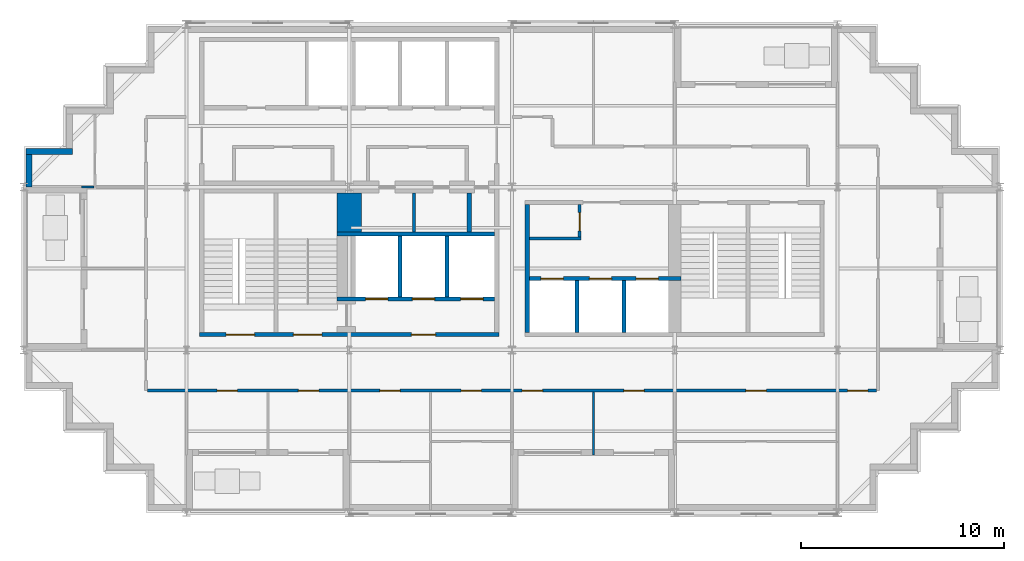
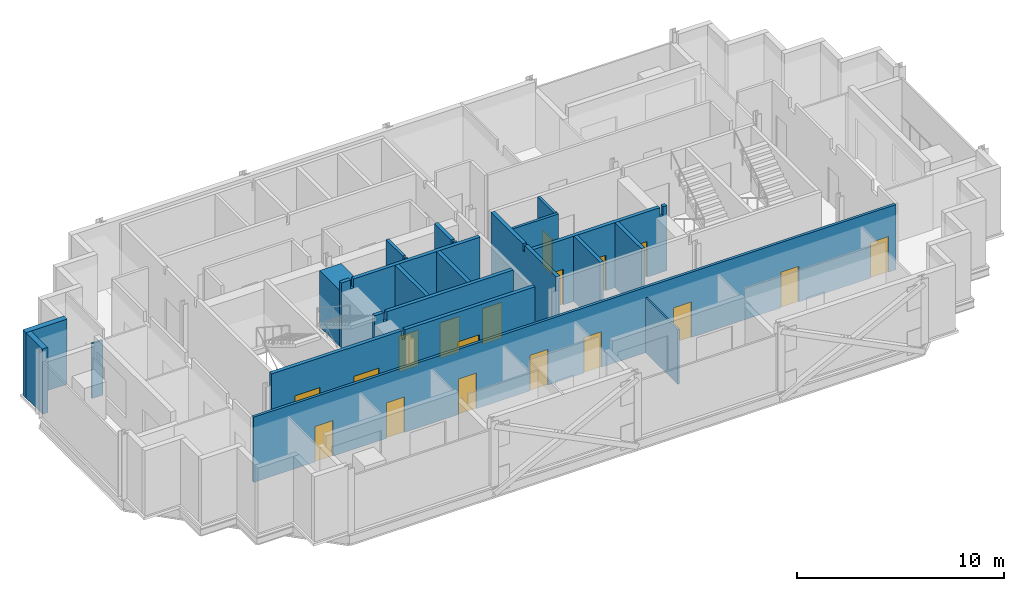
# One storey, part 5 of 10: 19 walls, 18 doors, 18 openings.
"""IFC4 building model written with IfcOpenShell, lengths in metres."""

from ifc_helpers import new_model, si_unit, direction, frame, frame_2d, origin, place, context, subcontext, project, spatial, polyline, rectangle, outline, extrude, material, layer, layer_set, type_object, element, fill, save


model = new_model("IFC4")

# Units and contexts
model_context = context("Model", 3, precision=1e-05, world=origin(), true_north=direction((0.0, 1.0)))
body_context = subcontext(model_context, "Body", "Model", "MODEL_VIEW")
ifc_project = project(units=[si_unit("LENGTHUNIT", "METRE"), si_unit("AREAUNIT", "SQUARE_METRE"), si_unit("VOLUMEUNIT", "CUBIC_METRE"), si_unit("PLANEANGLEUNIT", "RADIAN"), si_unit("MASSUNIT", "GRAM", prefix="KILO")], contexts=[model_context])

# Site, building, storey
site_placement = place(None, origin())
site = spatial("IfcSite", under=ifc_project, at=site_placement, CompositionType="ELEMENT")
building_placement = place(site_placement, origin())
building = spatial("IfcBuilding", under=site, at=building_placement, Name="Immortelle Media Tower", CompositionType="ELEMENT")
storey_placement = place(building_placement, frame((0.0, 0.0, 291.0)))
storey = spatial("IfcBuildingStorey", under=building, at=storey_placement, Name="L64", CompositionType="ELEMENT", Elevation=291.0)

# Walls
ifc_material_1 = material(Name="Fire-rated gypsum board", Category="gypsum")
ifc_layer_1 = layer(ifc_material_1, 0.02490234375)
ifc_material_2 = material(Name="Steel ASTM A653 SS Gr 50 stud frame with mineral wool", Category="steel")
ifc_layer_2 = layer(ifc_material_2, 0.10009765625)
ifc_layer_3 = layer(ifc_material_1, 0.02490234375)
ifc_layer_set_1 = layer_set([ifc_layer_1, ifc_layer_2, ifc_layer_3], Name="Steel ASTM A653 SS Gr 50 stud frame with mineral wool")
wall_type_1 = type_object("IfcWallType", Name="Core partition 150", PredefinedType="PARTITIONING", material=ifc_layer_set_1)
wall_1_placement = place(storey_placement, frame((19.175048828125, 13.800048828125, 0.0), z_axis=(0.0, 0.0, 1.0), x_axis=(0.0, 1.0, 0.0)))
element("IfcWall", 1, at=wall_1_placement, inside=storey, type_object=wall_type_1, Name="Core partition SW", PredefinedType="PARTITIONING", context=body_context, shape_type="SweptSolid", body=[
    extrude(outline(polyline([(0.0, 0.0), (1.89990234375, 0.0), (1.89990234375, 3.85009765625), (0.27490234375, 3.85009765625), (0.27392578125, 3.43994140625), (0.1259765625, 3.43994140625), (0.125, 3.85009765625), (0.0, 3.85009765625), (0.0, 0.0)])), frame((0.0, 0.074951171875, 0.0), z_axis=(0.0, -1.0, 0.0), x_axis=(1.0, 0.0, 0.0)), (0.0, 0.0, 1.0), 0.14990234375),
])
wall_2_placement = place(storey_placement, frame((24.85009765625, 13.47509765625, 0.0), z_axis=(0.0, 0.0, 1.0), x_axis=(1.0, 0.0, 0.0)))
element("IfcWall", 2, at=wall_2_placement, inside=storey, type_object=wall_type_1, Name="Core partition SE", PredefinedType="PARTITIONING", context=body_context, shape_type="SweptSolid", body=[
    extrude(rectangle(XDim=2.5498046875, YDim=0.14990234375, at=frame_2d((1.27490234375, 0.0))), origin(), (0.0, 0.0, 1.0), 3.85009765625),
])

# Wall, opening, door
wall_3_placement = place(storey_placement, frame((27.324951171875, 13.550048828125, 0.0), z_axis=(0.0, 0.0, 1.0), x_axis=(0.0, 1.0, 0.0)))
wall_3 = element("IfcWall", 3, at=wall_3_placement, inside=storey, type_object=wall_type_1, Name="Core partition SE", PredefinedType="PARTITIONING", context=body_context, shape_type="SweptSolid", body=[
    extrude(rectangle(XDim=1.599853515625, YDim=0.14990234375, at=frame_2d((0.7998046875, 0.0))), origin(), (0.0, 0.0, 1.0), 3.85009765625),
])
opening_1_placement = place(wall_3_placement, frame((0.300048828125, 0.0, 0.0)))
opening_1 = element("IfcOpeningElement", 4, at=opening_1_placement, cuts=wall_3, Name="Opening X6-K021", PredefinedType="OPENING", context=body_context, shape_type="SweptSolid", body=[
    extrude(rectangle(XDim=0.89990234375, YDim=2.10009765625, at=frame_2d((0.449951171875, 1.050048828125))), frame((0.0, 0.0849609375, 0.0), z_axis=(0.0, -1.0, 0.0), x_axis=(1.0, 0.0, 0.0)), (0.0, 0.0, 1.0), 0.169921875),
])
ifc_material_3 = material(Name="Galvanised steel door leaf and frame ASTM A653", Category="steel")
door_type_1 = type_object("IfcDoorType", Name="Service door 900 x 2100", OperationType="NOTDEFINED", PredefinedType="NOTDEFINED", material=ifc_material_3)
door_1_placement = place(opening_1_placement, origin())
door_1 = element("IfcDoor", 5, at=door_1_placement, inside=storey, type_object=door_type_1, Name="Service X6-K021", OperationType="SINGLE_SWING_RIGHT", OverallHeight=2.10009765625, OverallWidth=0.89990234375, PredefinedType="NOTDEFINED", context=body_context, shape_type="SweptSolid", body=[
    extrude(rectangle(XDim=0.89990234375, YDim=2.10009765625, at=frame_2d((0.449951171875, 1.050048828125))), frame((0.0, 0.02490234375, 0.0), z_axis=(0.0, -1.0, 0.0), x_axis=(1.0, 0.0, 0.0)), (0.0, 0.0, 1.0), 0.050048828125),
])
fill(opening_1, door_1)

# Wall, openings, doors
ifc_layer_4 = layer(ifc_material_1, 0.03759765625)
ifc_layer_5 = layer(ifc_material_2, 0.125)
ifc_layer_6 = layer(ifc_material_1, 0.03759765625)
ifc_layer_set_2 = layer_set([ifc_layer_4, ifc_layer_5, ifc_layer_6], Name="Steel ASTM A653 SS Gr 50 stud frame with mineral wool")
wall_type_2 = type_object("IfcWallType", Name="Core shaft wall 200", PredefinedType="PARTITIONING", material=ifc_layer_set_2)
wall_4_placement = place(storey_placement, frame((15.39990234375, 10.5, 0.0), z_axis=(0.0, 0.0, 1.0), x_axis=(1.0, 0.0, 0.0)))
wall_4 = element("IfcWall", 6, at=wall_4_placement, inside=storey, type_object=wall_type_2, Name="Core shaft wall SW", PredefinedType="PARTITIONING", context=body_context, shape_type="SweptSolid", body=[
    extrude(outline(polyline([(0.0, 0.0), (7.75, 0.0), (7.75, 3.85009765625), (0.6875, 3.85009765625), (0.6865234375, 3.318115234375), (0.513427734375, 3.318115234375), (0.512451171875, 3.85009765625), (0.0, 3.85009765625), (0.0, 0.0)])), frame((0.0, 0.10009765625, 0.0), z_axis=(0.0, -1.0, 0.0), x_axis=(1.0, 0.0, 0.0)), (0.0, 0.0, 1.0), 0.199951171875),
])
opening_2_placement = place(wall_4_placement, frame((1.39990234375, 0.0, 0.0)))
opening_2 = element("IfcOpeningElement", 7, at=opening_2_placement, cuts=wall_4, Name="Opening LD", PredefinedType="OPENING", context=body_context, shape_type="SweptSolid", body=[
    extrude(rectangle(XDim=1.10009765625, YDim=2.10009765625, at=frame_2d((0.550048828125, 1.050048828125))), frame((0.0, 0.10986328125, 0.0), z_axis=(0.0, -1.0, 0.0), x_axis=(1.0, 0.0, 0.0)), (0.0, 0.0, 1.0), 0.219970703125),
])
opening_3_placement = place(wall_4_placement, frame((3.699951171875, 0.0, 0.0)))
opening_3 = element("IfcOpeningElement", 8, at=opening_3_placement, cuts=wall_4, Name="Opening LD", PredefinedType="OPENING", context=body_context, shape_type="SweptSolid", body=[
    extrude(rectangle(XDim=1.10009765625, YDim=2.10009765625, at=frame_2d((0.550048828125, 1.050048828125))), frame((0.0, 0.10986328125, 0.0), z_axis=(0.0, -1.0, 0.0), x_axis=(1.0, 0.0, 0.0)), (0.0, 0.0, 1.0), 0.219970703125),
])
opening_4_placement = place(wall_4_placement, frame((6.074951171875, 0.0, 0.0)))
opening_4 = element("IfcOpeningElement", 9, at=opening_4_placement, cuts=wall_4, Name="Opening LD", PredefinedType="OPENING", context=body_context, shape_type="SweptSolid", body=[
    extrude(rectangle(XDim=1.10009765625, YDim=2.10009765625, at=frame_2d((0.550048828125, 1.050048828125))), frame((0.0, 0.10986328125, 0.0), z_axis=(0.0, -1.0, 0.0), x_axis=(1.0, 0.0, 0.0)), (0.0, 0.0, 1.0), 0.219970703125),
])
ifc_material_4 = material(Name="Stainless steel AISI 304", Category="steel")
door_type_2 = type_object("IfcDoorType", Name="Landing door 1100 x 2100", OperationType="SLIDING_TO_LEFT", PredefinedType="NOTDEFINED", material=ifc_material_4)
door_2_placement = place(opening_2_placement, origin())
door_2 = element("IfcDoor", 10, at=door_2_placement, inside=storey, type_object=door_type_2, Name="Landing door FF1 L64", OperationType="SLIDING_TO_LEFT", OverallHeight=2.10009765625, OverallWidth=1.10009765625, PredefinedType="NOTDEFINED", context=body_context, shape_type="SweptSolid", body=[
    extrude(rectangle(XDim=1.10009765625, YDim=2.10009765625, at=frame_2d((0.550048828125, 1.050048828125))), frame((0.0, 0.02490234375, 0.0), z_axis=(0.0, -1.0, 0.0), x_axis=(1.0, 0.0, 0.0)), (0.0, 0.0, 1.0), 0.050048828125),
])
fill(opening_2, door_2)
door_3_placement = place(opening_3_placement, origin())
door_3 = element("IfcDoor", 11, at=door_3_placement, inside=storey, type_object=door_type_2, Name="Landing door FF2 L64", OperationType="SLIDING_TO_LEFT", OverallHeight=2.10009765625, OverallWidth=1.10009765625, PredefinedType="NOTDEFINED", context=body_context, shape_type="SweptSolid", body=[
    extrude(rectangle(XDim=1.10009765625, YDim=2.10009765625, at=frame_2d((0.550048828125, 1.050048828125))), frame((0.0, 0.02490234375, 0.0), z_axis=(0.0, -1.0, 0.0), x_axis=(1.0, 0.0, 0.0)), (0.0, 0.0, 1.0), 0.050048828125),
])
fill(opening_3, door_3)
door_4_placement = place(opening_4_placement, origin())
door_4 = element("IfcDoor", 12, at=door_4_placement, inside=storey, type_object=door_type_2, Name="Landing door FF3 L64", OperationType="SLIDING_TO_LEFT", OverallHeight=2.10009765625, OverallWidth=1.10009765625, PredefinedType="NOTDEFINED", context=body_context, shape_type="SweptSolid", body=[
    extrude(rectangle(XDim=1.10009765625, YDim=2.10009765625, at=frame_2d((0.550048828125, 1.050048828125))), frame((0.0, 0.02490234375, 0.0), z_axis=(0.0, -1.0, 0.0), x_axis=(1.0, 0.0, 0.0)), (0.0, 0.0, 1.0), 0.050048828125),
])
fill(opening_4, door_4)

# Walls
wall_5_placement = place(storey_placement, frame((15.39990234375, 13.699951171875, 0.0), z_axis=(0.0, 0.0, 1.0), x_axis=(1.0, 0.0, 0.0)))
element("IfcWall", 13, at=wall_5_placement, inside=storey, type_object=wall_type_2, Name="Core shaft wall SW", PredefinedType="PARTITIONING", context=body_context, shape_type="SweptSolid", body=[
    extrude(outline(polyline([(0.0, 0.0), (7.75, 0.0), (7.75, 3.85009765625), (0.6875, 3.85009765625), (0.6865234375, 3.318115234375), (0.513427734375, 3.318115234375), (0.512451171875, 3.85009765625), (0.0, 3.85009765625), (0.0, 0.0)])), frame((0.0, 0.10009765625, 0.0), z_axis=(0.0, -1.0, 0.0), x_axis=(1.0, 0.0, 0.0)), (0.0, 0.0, 1.0), 0.199951171875),
])
for number, where, z_axis, x_axis, name in (
    (14, (18.5, 10.60009765625, 0.0), (0.0, 0.0, 1.0), (0.0, 1.0, 0.0), "Core shaft wall SW"),
    (15, (20.800048828125, 10.60009765625, 0.0), (0.0, 0.0, 1.0), (0.0, 1.0, 0.0), "Core shaft wall SW"),
):
    element("IfcWall", number, at=place(storey_placement, frame(where, z_axis=z_axis, x_axis=x_axis)), inside=storey, type_object=wall_type_2, Name=name, PredefinedType="PARTITIONING", context=body_context, shape_type="SweptSolid", body=[
        extrude(rectangle(XDim=3.0, YDim=0.199951171875, at=frame_2d((1.5, 0.0))), origin(), (0.0, 0.0, 1.0), 3.85009765625),
    ])
wall_6_placement = place(storey_placement, frame((21.89990234375, 13.800048828125, 0.0), z_axis=(0.0, 0.0, 1.0), x_axis=(0.0, 1.0, 0.0)))
element("IfcWall", 16, at=wall_6_placement, inside=storey, type_object=wall_type_2, Name="Core shaft wall SW", PredefinedType="PARTITIONING", context=body_context, shape_type="SweptSolid", body=[
    extrude(outline(polyline([(0.0, 0.0), (1.89990234375, 0.0), (1.89990234375, 3.85009765625), (0.27490234375, 3.85009765625), (0.27392578125, 3.43994140625), (0.1259765625, 3.43994140625), (0.125, 3.85009765625), (0.0, 3.85009765625), (0.0, 0.0)])), frame((0.0, 0.10009765625, 0.0), z_axis=(0.0, -1.0, 0.0), x_axis=(1.0, 0.0, 0.0)), (0.0, 0.0, 1.0), 0.199951171875),
])
wall_7_placement = place(storey_placement, frame((24.75, 8.85009765625, 0.0), z_axis=(0.0, 0.0, 1.0), x_axis=(0.0, 1.0, 0.0)))
element("IfcWall", 17, at=wall_7_placement, inside=storey, type_object=wall_type_2, Name="Core shaft wall SE", PredefinedType="PARTITIONING", context=body_context, shape_type="SweptSolid", body=[
    extrude(outline(polyline([(0.0, 0.0), (6.2998046875, 0.0), (6.300048828125, 3.85009765625), (3.22509765625, 3.85009765625), (3.22412109375, 3.43994140625), (3.075927734375, 3.43994140625), (3.074951171875, 3.85009765625), (0.0, 3.85009765625), (0.0, 0.0)])), frame((0.0, 0.10009765625, 0.0), z_axis=(0.0, -1.0, 0.0), x_axis=(1.0, 0.0, 0.0)), (0.0, 0.0, 1.0), 0.199951171875),
])

# Wall, openings, doors
wall_8_placement = place(storey_placement, frame((24.85009765625, 11.5, 0.0), z_axis=(0.0, 0.0, 1.0), x_axis=(1.0, 0.0, 0.0)))
wall_8 = element("IfcWall", 18, at=wall_8_placement, inside=storey, type_object=wall_type_2, Name="Core shaft wall SE", PredefinedType="PARTITIONING", context=body_context, shape_type="SweptSolid", body=[
    extrude(outline(polyline([(0.0, 0.0), (7.449951171875, 0.0), (7.449951171875, 3.85009765625), (7.237548828125, 3.85009765625), (7.236572265625, 3.318115234375), (7.0634765625, 3.318115234375), (7.0625, 3.85009765625), (0.0, 3.85009765625), (0.0, 0.0)])), frame((0.0, 0.10009765625, 0.0), z_axis=(0.0, -1.0, 0.0), x_axis=(1.0, 0.0, 0.0)), (0.0, 0.0, 1.0), 0.199951171875),
])
opening_5_placement = place(wall_8_placement, frame((0.574951171875, 0.0, 0.0)))
opening_5 = element("IfcOpeningElement", 19, at=opening_5_placement, cuts=wall_8, Name="Opening LD", PredefinedType="OPENING", context=body_context, shape_type="SweptSolid", body=[
    extrude(rectangle(XDim=1.10009765625, YDim=2.10009765625, at=frame_2d((0.550048828125, 1.050048828125))), frame((0.0, 0.10986328125, 0.0), z_axis=(0.0, -1.0, 0.0), x_axis=(1.0, 0.0, 0.0)), (0.0, 0.0, 1.0), 0.219970703125),
])
opening_6_placement = place(wall_8_placement, frame((2.949951171875, 0.0, 0.0)))
opening_6 = element("IfcOpeningElement", 20, at=opening_6_placement, cuts=wall_8, Name="Opening LD", PredefinedType="OPENING", context=body_context, shape_type="SweptSolid", body=[
    extrude(rectangle(XDim=1.10009765625, YDim=2.10009765625, at=frame_2d((0.550048828125, 1.050048828125))), frame((0.0, 0.10986328125, 0.0), z_axis=(0.0, -1.0, 0.0), x_axis=(1.0, 0.0, 0.0)), (0.0, 0.0, 1.0), 0.219970703125),
])
opening_7_placement = place(wall_8_placement, frame((5.25, 0.0, 0.0)))
opening_7 = element("IfcOpeningElement", 21, at=opening_7_placement, cuts=wall_8, Name="Opening LD", PredefinedType="OPENING", context=body_context, shape_type="SweptSolid", body=[
    extrude(rectangle(XDim=1.10009765625, YDim=2.10009765625, at=frame_2d((0.550048828125, 1.050048828125))), frame((0.0, 0.10986328125, 0.0), z_axis=(0.0, -1.0, 0.0), x_axis=(1.0, 0.0, 0.0)), (0.0, 0.0, 1.0), 0.219970703125),
])
door_5_placement = place(opening_5_placement, origin())
door_5 = element("IfcDoor", 22, at=door_5_placement, inside=storey, type_object=door_type_2, Name="Landing door HS1 L64", OperationType="SLIDING_TO_LEFT", OverallHeight=2.10009765625, OverallWidth=1.10009765625, PredefinedType="NOTDEFINED", context=body_context, shape_type="SweptSolid", body=[
    extrude(rectangle(XDim=1.10009765625, YDim=2.10009765625, at=frame_2d((0.550048828125, 1.050048828125))), frame((0.0, 0.02490234375, 0.0), z_axis=(0.0, -1.0, 0.0), x_axis=(1.0, 0.0, 0.0)), (0.0, 0.0, 1.0), 0.050048828125),
])
fill(opening_5, door_5)
door_6_placement = place(opening_6_placement, origin())
door_6 = element("IfcDoor", 23, at=door_6_placement, inside=storey, type_object=door_type_2, Name="Landing door HS2 L64", OperationType="SLIDING_TO_LEFT", OverallHeight=2.10009765625, OverallWidth=1.10009765625, PredefinedType="NOTDEFINED", context=body_context, shape_type="SweptSolid", body=[
    extrude(rectangle(XDim=1.10009765625, YDim=2.10009765625, at=frame_2d((0.550048828125, 1.050048828125))), frame((0.0, 0.02490234375, 0.0), z_axis=(0.0, -1.0, 0.0), x_axis=(1.0, 0.0, 0.0)), (0.0, 0.0, 1.0), 0.050048828125),
])
fill(opening_6, door_6)
door_7_placement = place(opening_7_placement, origin())
door_7 = element("IfcDoor", 24, at=door_7_placement, inside=storey, type_object=door_type_2, Name="Landing door HS3 L64", OperationType="SLIDING_TO_LEFT", OverallHeight=2.10009765625, OverallWidth=1.10009765625, PredefinedType="NOTDEFINED", context=body_context, shape_type="SweptSolid", body=[
    extrude(rectangle(XDim=1.10009765625, YDim=2.10009765625, at=frame_2d((0.550048828125, 1.050048828125))), frame((0.0, 0.02490234375, 0.0), z_axis=(0.0, -1.0, 0.0), x_axis=(1.0, 0.0, 0.0)), (0.0, 0.0, 1.0), 0.050048828125),
])
fill(opening_7, door_7)

# Walls
for number, where, z_axis, x_axis, name in (
    (25, (27.199951171875, 8.85009765625, 0.0), (0.0, 0.0, 1.0), (0.0, 1.0, 0.0), "Core shaft wall SE"),
    (26, (29.5, 8.85009765625, 0.0), (0.0, 0.0, 1.0), (0.0, 1.0, 0.0), "Core shaft wall SE"),
):
    element("IfcWall", number, at=place(storey_placement, frame(where, z_axis=z_axis, x_axis=x_axis)), inside=storey, type_object=wall_type_2, Name=name, PredefinedType="PARTITIONING", context=body_context, shape_type="SweptSolid", body=[
        extrude(rectangle(XDim=2.5498046875, YDim=0.199951171875, at=frame_2d((1.27490234375, 0.0))), origin(), (0.0, 0.0, 1.0), 3.85009765625),
    ])

# Wall, openings, doors
ifc_layer_7 = layer(ifc_material_1, 0.012451171875)
ifc_layer_8 = layer(ifc_material_2, 0.125)
ifc_layer_9 = layer(ifc_material_1, 0.012451171875)
ifc_layer_set_3 = layer_set([ifc_layer_7, ifc_layer_8, ifc_layer_9], Name="Steel ASTM A653 SS Gr 50 stud frame with mineral wool")
wall_type_3 = type_object("IfcWallType", Name="Corridor wall 150", PredefinedType="PARTITIONING", material=ifc_layer_set_3)
wall_9_placement = place(storey_placement, frame((6.074951171875, 6.0, 0.0), z_axis=(0.0, 0.0, 1.0), x_axis=(1.0, 0.0, 0.0)))
wall_9 = element("IfcWall", 27, at=wall_9_placement, inside=storey, type_object=wall_type_3, Name="Partition L64-017", PredefinedType="PARTITIONING", context=body_context, shape_type="SweptSolid", body=[
    extrude(rectangle(XDim=35.85009765625, YDim=0.14990234375, at=frame_2d((17.925048828125, 0.0))), origin(), (0.0, 0.0, 1.0), 3.85009765625),
])
opening_8_placement = place(wall_9_placement, frame((12.425048828125, 0.0, 0.0), z_axis=(0.0, 0.0, 1.0), x_axis=(-1.0, 0.0, 0.0)))
opening_8 = element("IfcOpeningElement", 28, at=opening_8_placement, cuts=wall_9, Name="Opening X6-F001", PredefinedType="OPENING", context=body_context, shape_type="SweptSolid", body=[
    extrude(rectangle(XDim=1.0, YDim=2.10009765625, at=frame_2d((0.5, 1.050048828125))), frame((0.0, 0.0849609375, 0.0), z_axis=(0.0, -1.0, 0.0), x_axis=(1.0, 0.0, 0.0)), (0.0, 0.0, 1.0), 0.169921875),
])
opening_9_placement = place(wall_9_placement, frame((16.425048828125, 0.0, 0.0), z_axis=(0.0, 0.0, 1.0), x_axis=(-1.0, 0.0, 0.0)))
opening_9 = element("IfcOpeningElement", 29, at=opening_9_placement, cuts=wall_9, Name="Opening X6-F003", PredefinedType="OPENING", context=body_context, shape_type="SweptSolid", body=[
    extrude(rectangle(XDim=1.0, YDim=2.10009765625, at=frame_2d((0.5, 1.050048828125))), frame((0.0, 0.0849609375, 0.0), z_axis=(0.0, -1.0, 0.0), x_axis=(1.0, 0.0, 0.0)), (0.0, 0.0, 1.0), 0.169921875),
])
opening_10_placement = place(wall_9_placement, frame((30.425048828125, 0.0, 0.0), z_axis=(0.0, 0.0, 1.0), x_axis=(-1.0, 0.0, 0.0)))
opening_10 = element("IfcOpeningElement", 30, at=opening_10_placement, cuts=wall_9, Name="Opening X6-F005", PredefinedType="OPENING", context=body_context, shape_type="SweptSolid", body=[
    extrude(rectangle(XDim=1.0, YDim=2.10009765625, at=frame_2d((0.5, 1.050048828125))), frame((0.0, 0.0849609375, 0.0), z_axis=(0.0, -1.0, 0.0), x_axis=(1.0, 0.0, 0.0)), (0.0, 0.0, 1.0), 0.169921875),
])
opening_11_placement = place(wall_9_placement, frame((4.425048828125, 0.0, 0.0), z_axis=(0.0, 0.0, 1.0), x_axis=(-1.0, 0.0, 0.0)))
opening_11 = element("IfcOpeningElement", 31, at=opening_11_placement, cuts=wall_9, Name="Opening X6-F007", PredefinedType="OPENING", context=body_context, shape_type="SweptSolid", body=[
    extrude(rectangle(XDim=1.0, YDim=2.10009765625, at=frame_2d((0.5, 1.050048828125))), frame((0.0, 0.0849609375, 0.0), z_axis=(0.0, -1.0, 0.0), x_axis=(1.0, 0.0, 0.0)), (0.0, 0.0, 1.0), 0.169921875),
])
opening_12_placement = place(wall_9_placement, frame((8.425048828125, 0.0, 0.0), z_axis=(0.0, 0.0, 1.0), x_axis=(-1.0, 0.0, 0.0)))
opening_12 = element("IfcOpeningElement", 32, at=opening_12_placement, cuts=wall_9, Name="Opening X6-F008", PredefinedType="OPENING", context=body_context, shape_type="SweptSolid", body=[
    extrude(rectangle(XDim=1.0, YDim=2.10009765625, at=frame_2d((0.5, 1.050048828125))), frame((0.0, 0.0849609375, 0.0), z_axis=(0.0, -1.0, 0.0), x_axis=(1.0, 0.0, 0.0)), (0.0, 0.0, 1.0), 0.169921875),
])
opening_13_placement = place(wall_9_placement, frame((19.425048828125, 0.0, 0.0), z_axis=(0.0, 0.0, 1.0), x_axis=(-1.0, 0.0, 0.0)))
opening_13 = element("IfcOpeningElement", 33, at=opening_13_placement, cuts=wall_9, Name="Opening X6-F009", PredefinedType="OPENING", context=body_context, shape_type="SweptSolid", body=[
    extrude(rectangle(XDim=1.0, YDim=2.10009765625, at=frame_2d((0.5, 1.050048828125))), frame((0.0, 0.0849609375, 0.0), z_axis=(0.0, -1.0, 0.0), x_axis=(1.0, 0.0, 0.0)), (0.0, 0.0, 1.0), 0.169921875),
])
opening_14_placement = place(wall_9_placement, frame((24.425048828125, 0.0, 0.0), z_axis=(0.0, 0.0, 1.0), x_axis=(-1.0, 0.0, 0.0)))
opening_14 = element("IfcOpeningElement", 34, at=opening_14_placement, cuts=wall_9, Name="Opening X6-F010", PredefinedType="OPENING", context=body_context, shape_type="SweptSolid", body=[
    extrude(rectangle(XDim=1.0, YDim=2.10009765625, at=frame_2d((0.5, 1.050048828125))), frame((0.0, 0.0849609375, 0.0), z_axis=(0.0, -1.0, 0.0), x_axis=(1.0, 0.0, 0.0)), (0.0, 0.0, 1.0), 0.169921875),
])
opening_15_placement = place(wall_9_placement, frame((35.425048828125, 0.0, 0.0), z_axis=(0.0, 0.0, 1.0), x_axis=(-1.0, 0.0, 0.0)))
opening_15 = element("IfcOpeningElement", 35, at=opening_15_placement, cuts=wall_9, Name="Opening X6-F012", PredefinedType="OPENING", context=body_context, shape_type="SweptSolid", body=[
    extrude(rectangle(XDim=1.0, YDim=2.10009765625, at=frame_2d((0.5, 1.050048828125))), frame((0.0, 0.0849609375, 0.0), z_axis=(0.0, -1.0, 0.0), x_axis=(1.0, 0.0, 0.0)), (0.0, 0.0, 1.0), 0.169921875),
])
ifc_material_5 = material(Name="Timber veneered door leaf, galvanised steel frame ASTM A653", Category="steel")
door_type_3 = type_object("IfcDoorType", Name="Room door 1000 x 2100", OperationType="NOTDEFINED", PredefinedType="DOOR", material=ifc_material_5)
door_8_placement = place(opening_8_placement, origin())
door_8 = element("IfcDoor", 36, at=door_8_placement, inside=storey, type_object=door_type_3, Name="Door X6-F001", OperationType="SINGLE_SWING_RIGHT", OverallHeight=2.10009765625, OverallWidth=1.0, PredefinedType="DOOR", context=body_context, shape_type="SweptSolid", body=[
    extrude(rectangle(XDim=1.0, YDim=2.10009765625, at=frame_2d((0.5, 1.050048828125))), frame((0.0, 0.02490234375, 0.0), z_axis=(0.0, -1.0, 0.0), x_axis=(1.0, 0.0, 0.0)), (0.0, 0.0, 1.0), 0.050048828125),
])
fill(opening_8, door_8)
door_9_placement = place(opening_9_placement, origin())
door_9 = element("IfcDoor", 37, at=door_9_placement, inside=storey, type_object=door_type_3, Name="Door X6-F003", OperationType="SINGLE_SWING_RIGHT", OverallHeight=2.10009765625, OverallWidth=1.0, PredefinedType="DOOR", context=body_context, shape_type="SweptSolid", body=[
    extrude(rectangle(XDim=1.0, YDim=2.10009765625, at=frame_2d((0.5, 1.050048828125))), frame((0.0, 0.02490234375, 0.0), z_axis=(0.0, -1.0, 0.0), x_axis=(1.0, 0.0, 0.0)), (0.0, 0.0, 1.0), 0.050048828125),
])
fill(opening_9, door_9)
door_10_placement = place(opening_10_placement, origin())
door_10 = element("IfcDoor", 38, at=door_10_placement, inside=storey, type_object=door_type_3, Name="Door X6-F005", OperationType="SINGLE_SWING_RIGHT", OverallHeight=2.10009765625, OverallWidth=1.0, PredefinedType="DOOR", context=body_context, shape_type="SweptSolid", body=[
    extrude(rectangle(XDim=1.0, YDim=2.10009765625, at=frame_2d((0.5, 1.050048828125))), frame((0.0, 0.02490234375, 0.0), z_axis=(0.0, -1.0, 0.0), x_axis=(1.0, 0.0, 0.0)), (0.0, 0.0, 1.0), 0.050048828125),
])
fill(opening_10, door_10)
door_11_placement = place(opening_11_placement, origin())
door_11 = element("IfcDoor", 39, at=door_11_placement, inside=storey, type_object=door_type_3, Name="Door X6-F007", OperationType="SINGLE_SWING_LEFT", OverallHeight=2.10009765625, OverallWidth=1.0, PredefinedType="DOOR", context=body_context, shape_type="SweptSolid", body=[
    extrude(rectangle(XDim=1.0, YDim=2.10009765625, at=frame_2d((0.5, 1.050048828125))), frame((0.0, 0.02490234375, 0.0), z_axis=(0.0, -1.0, 0.0), x_axis=(1.0, 0.0, 0.0)), (0.0, 0.0, 1.0), 0.050048828125),
])
fill(opening_11, door_11)
door_12_placement = place(opening_12_placement, origin())
door_12 = element("IfcDoor", 40, at=door_12_placement, inside=storey, type_object=door_type_3, Name="Door X6-F008", OperationType="SINGLE_SWING_RIGHT", OverallHeight=2.10009765625, OverallWidth=1.0, PredefinedType="DOOR", context=body_context, shape_type="SweptSolid", body=[
    extrude(rectangle(XDim=1.0, YDim=2.10009765625, at=frame_2d((0.5, 1.050048828125))), frame((0.0, 0.02490234375, 0.0), z_axis=(0.0, -1.0, 0.0), x_axis=(1.0, 0.0, 0.0)), (0.0, 0.0, 1.0), 0.050048828125),
])
fill(opening_12, door_12)
door_13_placement = place(opening_13_placement, origin())
door_13 = element("IfcDoor", 41, at=door_13_placement, inside=storey, type_object=door_type_3, Name="Door X6-F009", OperationType="SINGLE_SWING_RIGHT", OverallHeight=2.10009765625, OverallWidth=1.0, PredefinedType="DOOR", context=body_context, shape_type="SweptSolid", body=[
    extrude(rectangle(XDim=1.0, YDim=2.10009765625, at=frame_2d((0.5, 1.050048828125))), frame((0.0, 0.02490234375, 0.0), z_axis=(0.0, -1.0, 0.0), x_axis=(1.0, 0.0, 0.0)), (0.0, 0.0, 1.0), 0.050048828125),
])
fill(opening_13, door_13)
door_14_placement = place(opening_14_placement, origin())
door_14 = element("IfcDoor", 42, at=door_14_placement, inside=storey, type_object=door_type_3, Name="Door X6-F010", OperationType="SINGLE_SWING_RIGHT", OverallHeight=2.10009765625, OverallWidth=1.0, PredefinedType="DOOR", context=body_context, shape_type="SweptSolid", body=[
    extrude(rectangle(XDim=1.0, YDim=2.10009765625, at=frame_2d((0.5, 1.050048828125))), frame((0.0, 0.02490234375, 0.0), z_axis=(0.0, -1.0, 0.0), x_axis=(1.0, 0.0, 0.0)), (0.0, 0.0, 1.0), 0.050048828125),
])
fill(opening_14, door_14)
door_15_placement = place(opening_15_placement, origin())
door_15 = element("IfcDoor", 43, at=door_15_placement, inside=storey, type_object=door_type_3, Name="Door X6-F012", OperationType="SINGLE_SWING_RIGHT", OverallHeight=2.10009765625, OverallWidth=1.0, PredefinedType="DOOR", context=body_context, shape_type="SweptSolid", body=[
    extrude(rectangle(XDim=1.0, YDim=2.10009765625, at=frame_2d((0.5, 1.050048828125))), frame((0.0, 0.02490234375, 0.0), z_axis=(0.0, -1.0, 0.0), x_axis=(1.0, 0.0, 0.0)), (0.0, 0.0, 1.0), 0.050048828125),
])
fill(opening_15, door_15)

# Walls
ifc_material_6 = material(Name="Pale aluminium cladding panel", Category="aluminium")
ifc_layer_10 = layer(ifc_material_6, 0.030029296875)
ifc_layer_11 = layer(ifc_material_2, 0.257568359375)
ifc_material_7 = material(Name="Moisture-resistant gypsum board", Category="gypsum")
ifc_layer_12 = layer(ifc_material_7, 0.012451171875)
ifc_layer_set_4 = layer_set([ifc_layer_10, ifc_layer_11, ifc_layer_12], Name="Steel ASTM A653 SS Gr 50 stud frame with mineral wool")
wall_type_4 = type_object("IfcWallType", Name="Facade wall 300", PredefinedType="SOLIDWALL", material=ifc_layer_set_4)
wall_10_placement = place(storey_placement, frame((2.39990234375, 17.75, 0.0), z_axis=(0.0, 0.0, 1.0), x_axis=(-1.0, 0.0, 0.0)))
element("IfcWall", 44, at=wall_10_placement, inside=storey, type_object=wall_type_4, Name="Facade wall L64 N26", PredefinedType="SOLIDWALL", context=body_context, shape_type="SweptSolid", body=[
    extrude(rectangle(XDim=2.2998046875, YDim=0.300048828125, at=frame_2d((1.14990234375, 0.0))), origin(), (0.0, 0.0, 1.0), 3.85009765625),
])
wall_11_placement = place(storey_placement, frame((0.25, 17.60009765625, 0.0), z_axis=(0.0, 0.0, 1.0), x_axis=(0.0, -1.0, 0.0)))
element("IfcWall", 45, at=wall_11_placement, inside=storey, type_object=wall_type_4, Name="Facade wall L64 W27", PredefinedType="SOLIDWALL", context=body_context, shape_type="SweptSolid", body=[
    extrude(rectangle(XDim=1.60009765625, YDim=0.300048828125, at=frame_2d((0.800048828125, 0.0))), origin(), (0.0, 0.0, 1.0), 3.85009765625),
])
ifc_material_8 = material(Name="Gypsum board", Category="gypsum")
ifc_layer_13 = layer(ifc_material_8, 0.012451171875)
ifc_layer_14 = layer(ifc_material_2, 0.074951171875)
ifc_layer_15 = layer(ifc_material_8, 0.012451171875)
ifc_layer_set_5 = layer_set([ifc_layer_13, ifc_layer_14, ifc_layer_15], Name="Steel ASTM A653 SS Gr 50 stud frame with mineral wool")
wall_type_5 = type_object("IfcWallType", Name="Partition 100", PredefinedType="PARTITIONING", material=ifc_layer_set_5)
wall_12_placement = place(storey_placement, frame((28.0, 2.830078125, 0.0), z_axis=(0.0, 0.0, 1.0), x_axis=(0.0, 1.0, 0.0)))
element("IfcWall", 46, at=wall_12_placement, inside=storey, type_object=wall_type_5, Name="Partition L64-009", PredefinedType="PARTITIONING", context=body_context, shape_type="SweptSolid", body=[
    extrude(rectangle(XDim=3.094970703125, YDim=0.10009765625, at=frame_2d((1.54736328125, 0.0))), origin(), (0.0, 0.0, 1.0), 3.238037109375),
])
wall_13_placement = place(storey_placement, frame((2.830078125, 16.0, 0.0), z_axis=(0.0, 0.0, 1.0), x_axis=(1.0, 0.0, 0.0)))
element("IfcWall", 47, at=wall_13_placement, inside=storey, type_object=wall_type_5, Name="Partition L64-023", PredefinedType="PARTITIONING", context=body_context, shape_type="SweptSolid", body=[
    extrude(rectangle(XDim=0.619873046875, YDim=0.10009765625, at=frame_2d((0.31005859375, 0.0))), origin(), (0.0, 0.0, 1.0), 3.238037109375),
])
ifc_material_9 = material(Name="Concrete C60", Category="concrete")
ifc_layer_16 = layer(ifc_material_9, 1.199951171875)
ifc_layer_set_6 = layer_set([ifc_layer_16], Name="Concrete C60")
wall_type_6 = type_object("IfcWallType", Name="Stair shaft wall 1200", PredefinedType="PARTITIONING", material=ifc_layer_set_6)
wall_14_placement = place(storey_placement, frame((16.0, 13.800048828125, 0.0), z_axis=(0.0, 0.0, 1.0), x_axis=(0.0, 1.0, 0.0)))
element("IfcWall", 48, at=wall_14_placement, inside=storey, type_object=wall_type_6, Name="Stair shaft wall SW", PredefinedType="PARTITIONING", context=body_context, shape_type="SweptSolid", body=[
    extrude(rectangle(XDim=1.89990234375, YDim=1.199951171875, at=frame_2d((0.949951171875, 0.0))), origin(), (0.0, 0.0, 1.0), 3.318115234375),
])

# Wall, openings, doors
ifc_layer_17 = layer(ifc_material_9, 0.199951171875)
ifc_layer_set_7 = layer_set([ifc_layer_17], Name="Concrete C60")
wall_type_7 = type_object("IfcWallType", Name="Stair shaft wall 200", PredefinedType="PARTITIONING", material=ifc_layer_set_7)
wall_15_placement = place(storey_placement, frame((8.64990234375, 8.75, 0.0), z_axis=(0.0, 0.0, 1.0), x_axis=(1.0, 0.0, 0.0)))
wall_15 = element("IfcWall", 49, at=wall_15_placement, inside=storey, type_object=wall_type_7, Name="Stair shaft wall SW", PredefinedType="PARTITIONING", context=body_context, shape_type="SweptSolid", body=[
    extrude(outline(polyline([(0.0, 0.0), (14.7001953125, 0.0), (14.699951171875, 3.85009765625), (7.4375, 3.85009765625), (7.4365234375, 3.318115234375), (7.263427734375, 3.318115234375), (7.262451171875, 3.85009765625), (0.0, 3.85009765625), (0.0, 0.0)])), frame((0.0, 0.10009765625, 0.0), z_axis=(0.0, -1.0, 0.0), x_axis=(1.0, 0.0, 0.0)), (0.0, 0.0, 1.0), 0.199951171875),
])
opening_16_placement = place(wall_15_placement, frame((1.300048828125, 0.0, 0.0)))
opening_16 = element("IfcOpeningElement", 50, at=opening_16_placement, cuts=wall_15, Name="Opening X6-K002", PredefinedType="OPENING", context=body_context, shape_type="SweptSolid", body=[
    extrude(rectangle(XDim=1.39990234375, YDim=2.10009765625, at=frame_2d((0.699951171875, 1.050048828125))), frame((0.0, 0.10986328125, 0.0), z_axis=(0.0, -1.0, 0.0), x_axis=(1.0, 0.0, 0.0)), (0.0, 0.0, 1.0), 0.219970703125),
])
opening_17_placement = place(wall_15_placement, frame((4.60009765625, 0.0, 0.0)))
opening_17 = element("IfcOpeningElement", 51, at=opening_17_placement, cuts=wall_15, Name="Opening X6-K005", PredefinedType="OPENING", context=body_context, shape_type="SweptSolid", body=[
    extrude(rectangle(XDim=1.39990234375, YDim=2.10009765625, at=frame_2d((0.699951171875, 1.050048828125))), frame((0.0, 0.10986328125, 0.0), z_axis=(0.0, -1.0, 0.0), x_axis=(1.0, 0.0, 0.0)), (0.0, 0.0, 1.0), 0.219970703125),
])
opening_18_placement = place(wall_15_placement, frame((10.39990234375, 0.0, 0.0)))
opening_18 = element("IfcOpeningElement", 52, at=opening_18_placement, cuts=wall_15, Name="Opening X6-K012", PredefinedType="OPENING", context=body_context, shape_type="SweptSolid", body=[
    extrude(rectangle(XDim=1.199951171875, YDim=2.10009765625, at=frame_2d((0.60009765625, 1.050048828125))), frame((0.0, 0.10986328125, 0.0), z_axis=(0.0, -1.0, 0.0), x_axis=(1.0, 0.0, 0.0)), (0.0, 0.0, 1.0), 0.219970703125),
])
door_type_4 = type_object("IfcDoorType", Name="Fire-fighting lobby door 1200 x 2100", OperationType="NOTDEFINED", PredefinedType="NOTDEFINED", material=ifc_material_3)
door_16_placement = place(opening_18_placement, origin())
door_16 = element("IfcDoor", 53, at=door_16_placement, inside=storey, type_object=door_type_4, Name="Fire-fighting lobby X6-K012", OperationType="SINGLE_SWING_RIGHT", OverallHeight=2.10009765625, OverallWidth=1.199951171875, PredefinedType="NOTDEFINED", context=body_context, shape_type="SweptSolid", body=[
    extrude(rectangle(XDim=1.199951171875, YDim=2.10009765625, at=frame_2d((0.60009765625, 1.050048828125))), frame((0.0, 0.02490234375, 0.0), z_axis=(0.0, -1.0, 0.0), x_axis=(1.0, 0.0, 0.0)), (0.0, 0.0, 1.0), 0.050048828125),
])
fill(opening_18, door_16)
door_type_5 = type_object("IfcDoorType", Name="Stair door 1400 x 2100", OperationType="DOUBLE_DOOR_SINGLE_SWING", PredefinedType="NOTDEFINED", material=ifc_material_3)
door_17_placement = place(opening_16_placement, origin())
door_17 = element("IfcDoor", 54, at=door_17_placement, inside=storey, type_object=door_type_5, Name="Stair X6-K002", OperationType="DOUBLE_DOOR_SINGLE_SWING", OverallHeight=2.10009765625, OverallWidth=1.39990234375, PredefinedType="NOTDEFINED", context=body_context, shape_type="SweptSolid", body=[
    extrude(rectangle(XDim=1.39990234375, YDim=2.10009765625, at=frame_2d((0.699951171875, 1.050048828125))), frame((0.0, 0.02490234375, 0.0), z_axis=(0.0, -1.0, 0.0), x_axis=(1.0, 0.0, 0.0)), (0.0, 0.0, 1.0), 0.050048828125),
])
fill(opening_16, door_17)
door_18_placement = place(opening_17_placement, origin())
door_18 = element("IfcDoor", 55, at=door_18_placement, inside=storey, type_object=door_type_5, Name="Stair X6-K005", OperationType="DOUBLE_DOOR_SINGLE_SWING", OverallHeight=2.10009765625, OverallWidth=1.39990234375, PredefinedType="NOTDEFINED", context=body_context, shape_type="SweptSolid", body=[
    extrude(rectangle(XDim=1.39990234375, YDim=2.10009765625, at=frame_2d((0.699951171875, 1.050048828125))), frame((0.0, 0.02490234375, 0.0), z_axis=(0.0, -1.0, 0.0), x_axis=(1.0, 0.0, 0.0)), (0.0, 0.0, 1.0), 0.050048828125),
])
fill(opening_17, door_18)

save(model, "model.ifc")
